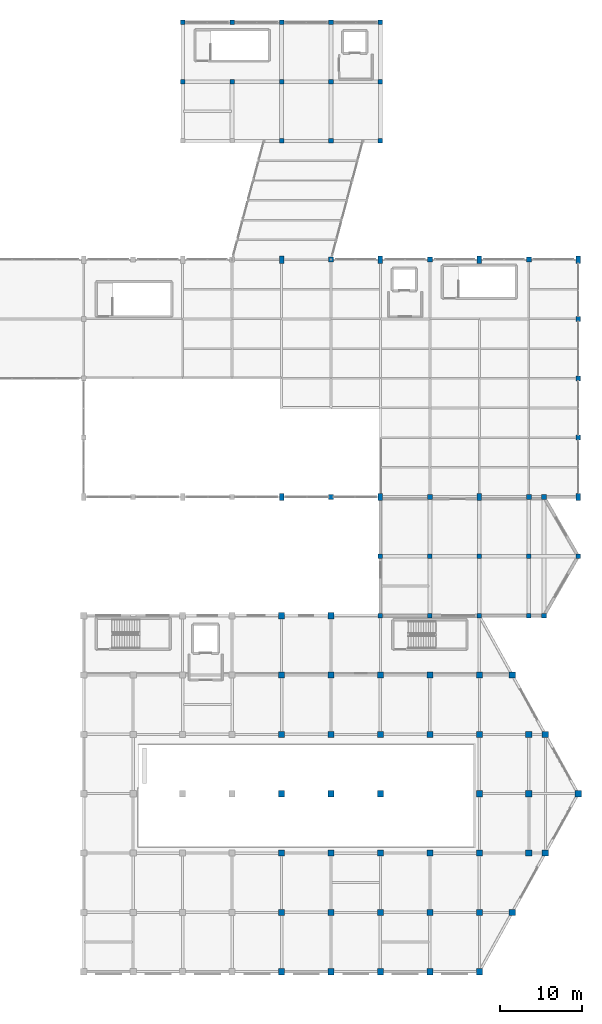
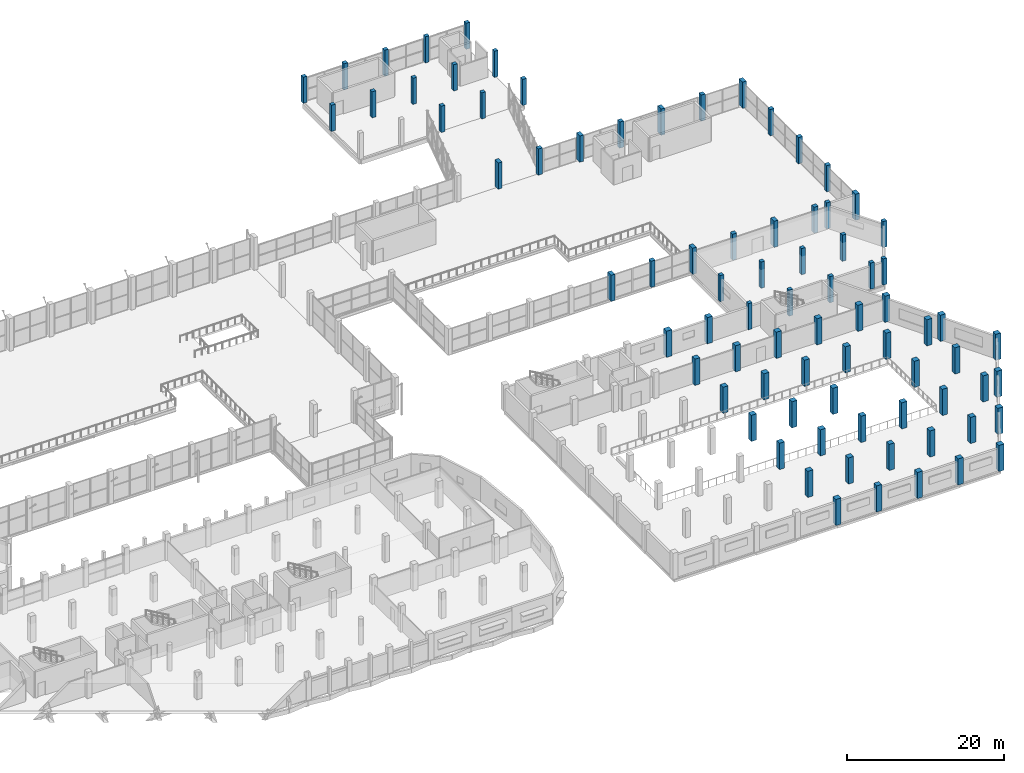
# One storey, part 11 of 127: 80 columns.
"""IFC4 building model written with IfcOpenShell, lengths in metres."""

import ifcopenshell
import ifcopenshell.guid

model = None  # the IFC model being written
_history = None  # IfcOwnerHistory: only IFC2X3 demands one
_inside = {}  # id of a spatial element -> (the spatial element, [elements in it])
_under = {}  # id of a project, library or spatial element -> (it, [spatial elements below it])
_declared = {}  # id of a project -> (the project, [libraries it declares])
_typed = {}  # id of a type object -> (the type object, [elements of that type])
_made_of = {}  # id of a material, layer set ... -> (it, [elements and type objects made of it])


def new_model(schema):
    """Start an empty IFC model of exactly this schema.

    Asked for "IFC4X3", IfcOpenShell would pick the latest addendum, in which some entities
    have other attributes; the version numbers below select the first issue.
    IFC2X3 requires an IfcOwnerHistory on every rooted entity: one is made here for all.
    """
    global model, _history
    if schema == "IFC4X3":
        model = ifcopenshell.file(schema_version=(4, 3, 0, 0))
    else:
        model = ifcopenshell.file(schema=schema)
    _inside.clear()
    _under.clear()
    _declared.clear()
    _typed.clear()
    _made_of.clear()
    _history = None
    if model.schema == "IFC2X3":
        org = make("IfcOrganization", Name="unknown")
        user = make(
            "IfcPersonAndOrganization",
            ThePerson=make("IfcPerson", FamilyName="unknown"),
            TheOrganization=org,
        )
        app = make(
            "IfcApplication",
            ApplicationDeveloper=org,
            Version="unknown",
            ApplicationFullName="unknown",
            ApplicationIdentifier="unknown",
        )
        _history = make(
            "IfcOwnerHistory",
            OwningUser=user,
            OwningApplication=app,
            ChangeAction="ADDED",
            CreationDate=0,
        )
    return model


def make(cls, **values):
    """One entity of the class cls with the attributes given. An attribute that is None is left unset."""
    return model.create_entity(
        cls, **{name: value for name, value in values.items() if value is not None}
    )


def rooted(cls, **values):
    """An entity with a GlobalId (a new one), such as an element, a storey or a relation."""
    return make(cls, GlobalId=ifcopenshell.guid.new(), OwnerHistory=_history, **values)


def si_unit(unit_type, name, prefix=None):
    """IfcSIUnit, for example si_unit("LENGTHUNIT", "METRE", prefix="MILLI")."""
    return make("IfcSIUnit", UnitType=unit_type, Prefix=prefix, Name=name)


def assignment(units):
    """IfcUnitAssignment: the units of a project."""
    return None if units is None else make("IfcUnitAssignment", Units=units)


def point(xyz):
    """IfcCartesianPoint."""
    return None if xyz is None else make("IfcCartesianPoint", Coordinates=xyz)


def direction(xyz):
    """IfcDirection."""
    return None if xyz is None else make("IfcDirection", DirectionRatios=xyz)


def frame(location, z_axis=None, x_axis=None):
    """IfcAxis2Placement3D, a coordinate frame: its origin and axes. An axis left out is left unset."""
    return make(
        "IfcAxis2Placement3D",
        Location=point(location),
        Axis=direction(z_axis),
        RefDirection=direction(x_axis),
    )


def frame_2d(location, x_axis=None):
    """IfcAxis2Placement2D, a coordinate frame in the plane: its origin and x axis."""
    return make(
        "IfcAxis2Placement2D", Location=point(location), RefDirection=direction(x_axis)
    )


def origin():
    """The frame at (0, 0, 0) with its axes left unset."""
    return frame((0.0, 0.0, 0.0))


def origin_2d():
    """The frame at (0, 0) in the plane with its x axis left unset."""
    return frame_2d((0.0, 0.0))


def place(relative_to, where):
    """IfcLocalPlacement: puts the frame where relative to a parent placement (None: the world)."""
    return make(
        "IfcLocalPlacement", PlacementRelTo=relative_to, RelativePlacement=where
    )


def context(
    kind, dimensions, precision=None, world=None, true_north=None, identifier=None
):
    """IfcGeometricRepresentationContext, for example the 3D "Model" context."""
    return make(
        "IfcGeometricRepresentationContext",
        ContextIdentifier=identifier,
        ContextType=kind,
        CoordinateSpaceDimension=dimensions,
        Precision=precision,
        WorldCoordinateSystem=world,
        TrueNorth=true_north,
    )


def subcontext(parent, identifier, kind, view, scale=None):
    """IfcGeometricRepresentationSubContext, for example "Body" below "Model"."""
    return make(
        "IfcGeometricRepresentationSubContext",
        ContextIdentifier=identifier,
        ContextType=kind,
        ParentContext=parent,
        TargetScale=scale,
        TargetView=view,
    )


def project(units=None, contexts=None):
    """IfcProject with its units and contexts."""
    return rooted(
        "IfcProject",
        Name="project",
        RepresentationContexts=contexts,
        UnitsInContext=assignment(units),
    )


def spatial(cls, under=None, at=None, **own):
    """A site, building, storey or space (cls), placed at a placement, below another one or the project."""
    s = rooted(cls, ObjectPlacement=at, **own)
    if under is not None:
        _under.setdefault(under.id(), (under, []))[1].append(s)
    return s


def profile(cls, at=None, kind="AREA", **sizes):
    """A parametric profile (cls). Its sizes go by their IFC names, for example OverallWidth=200.0."""
    return make(cls, ProfileType=kind, Position=at, **sizes)


def rectangle(**sizes):
    """IfcRectangleProfileDef."""
    return profile("IfcRectangleProfileDef", **sizes)


def extrude(swept, where, along, depth):
    """IfcExtrudedAreaSolid: the profile swept, set in the frame where, extruded along a direction by depth."""
    return make(
        "IfcExtrudedAreaSolid",
        SweptArea=swept,
        Position=where,
        ExtrudedDirection=direction(along),
        Depth=depth,
    )


def shape(context_of_items, identifier, shape_type, items):
    """IfcShapeRepresentation: the items that make up one representation, for example the "Body"."""
    return make(
        "IfcShapeRepresentation",
        ContextOfItems=context_of_items,
        RepresentationIdentifier=identifier,
        RepresentationType=shape_type,
        Items=items,
    )


def material(Name=None, Category=None):
    """IfcMaterial."""
    return make("IfcMaterial", Name=Name, Category=Category)


def material_profile(
    of_material, cross_section, Name=None, Category=None, Priority=None
):
    """IfcMaterialProfile: a cross section and its material."""
    return make(
        "IfcMaterialProfile",
        Name=Name,
        Material=of_material,
        Profile=cross_section,
        Priority=Priority,
        Category=Category,
    )


def profile_set(profiles, Name=None, composite=None):
    """IfcMaterialProfileSet."""
    return make(
        "IfcMaterialProfileSet",
        Name=Name,
        MaterialProfiles=profiles,
        CompositeProfile=composite,
    )


def made_of(thing, what):
    """Note that an element or type object is made of a material, layer set ...; save() writes the relation."""
    if what is not None:
        _made_of.setdefault(what.id(), (what, []))[1].append(thing)
    return thing


def type_object(cls, material=None, **own):
    """A type object (cls), such as IfcWallType, which elements share."""
    return made_of(rooted(cls, **own), material)


def element(
    cls,
    number,
    at=None,
    inside=None,
    cuts=None,
    type_object=None,
    material=None,
    context=None,
    identifier="Body",
    shape_type=None,
    held_by="IfcProductDefinitionShape",
    body=None,
    shapes=None,
    **own,
):
    """One element of the class cls, such as IfcWall. Its Tag is "e" and its number.

    at: its placement. inside: the storey or other place that contains it. cuts: it is an
    opening in that element (IfcRelVoidsElement). A single representation is given by context,
    identifier, shape_type and body (its items); several are given by shapes. held_by: the class
    of the entity that holds the representations. save() writes the other relations.
    """
    e = rooted(cls, Tag="e%d" % number, ObjectPlacement=at, **own)
    if body is not None:
        shapes = [shape(context, identifier, shape_type, body)]
    if shapes is not None:
        e.Representation = make(held_by, Representations=shapes)
    if inside is not None:
        _inside.setdefault(inside.id(), (inside, []))[1].append(e)
    if cuts is not None:
        rooted(
            "IfcRelVoidsElement", RelatingBuildingElement=cuts, RelatedOpeningElement=e
        )
    if type_object is not None:
        _typed.setdefault(type_object.id(), (type_object, []))[1].append(e)
    return made_of(e, material)


def aggregate(whole, parts):
    """IfcRelAggregates: a whole, such as a stair, and the parts it consists of."""
    return rooted("IfcRelAggregates", RelatingObject=whole, RelatedObjects=parts)


def save(model, path):
    """Write the relations noted so far, then the file.

    IfcRelAggregates (storeys below a building ...), IfcRelContainedInSpatialStructure (elements
    in a storey), IfcRelDefinesByType, IfcRelAssociatesMaterial and IfcRelDeclares: one each for
    every whole, place, type object, material and project.
    """
    for whole, parts in _under.values():
        aggregate(whole, parts)
    for where, things in _inside.values():
        rooted(
            "IfcRelContainedInSpatialStructure",
            RelatedElements=things,
            RelatingStructure=where,
        )
    for kind, things in _typed.values():
        rooted("IfcRelDefinesByType", RelatedObjects=things, RelatingType=kind)
    for what, things in _made_of.values():
        rooted("IfcRelAssociatesMaterial", RelatedObjects=things, RelatingMaterial=what)
    for by, libraries in _declared.values():
        rooted("IfcRelDeclares", RelatingContext=by, RelatedDefinitions=libraries)
    model.write(path)


model = new_model("IFC4")

# Units and contexts
model_context = context("Model", 3, precision=1e-05, world=origin(), true_north=direction((0.0, 1.0)))
body_context = subcontext(model_context, "Body", "Model", "MODEL_VIEW")
ifc_project = project(units=[si_unit("LENGTHUNIT", "METRE"), si_unit("AREAUNIT", "SQUARE_METRE"), si_unit("VOLUMEUNIT", "CUBIC_METRE"), si_unit("PLANEANGLEUNIT", "RADIAN"), si_unit("MASSUNIT", "GRAM", prefix="KILO")], contexts=[model_context])

# Site, building, storey
site_placement = place(None, origin())
site = spatial("IfcSite", under=ifc_project, at=site_placement, CompositionType="ELEMENT")
building_placement = place(site_placement, origin())
building = spatial("IfcBuilding", under=site, at=building_placement, Name="Dunvalen Ferry Terminal", CompositionType="ELEMENT")
storey_placement = place(building_placement, frame((0.0, 0.0, 5.760009765625)))
storey = spatial("IfcBuildingStorey", under=building, at=storey_placement, Name="L01", CompositionType="ELEMENT", Elevation=5.760009765625)

# Columns
ifc_material_1 = material(Name="Concrete C40/50", Category="concrete")
ifc_material_profile_1 = material_profile(ifc_material_1, rectangle(XDim=0.550048828125, YDim=0.89990234375, at=origin_2d()), Name="Concrete C40/50")
ifc_profile_set_1 = profile_set([ifc_material_profile_1], Name="Concrete C40/50")
column_type_1 = type_object("IfcColumnType", Name="STR-COL-PIER900", PredefinedType="COLUMN", material=ifc_profile_set_1)
for number, where, z_axis, x_axis, name in (
    (1, (132.0, 57.60009765625, 0.0), (0.0, 0.0, 1.0), (1.0, 0.0, 0.0), "L01 Arrivals Hall Upper Pier 05"),
    (2, (144.0, 57.60009765625, 0.0), (0.0, 0.0, 1.0), (1.0, 0.0, 0.0), "L01 Arrivals Hall Upper Pier 07"),
    (3, (156.0, 57.60009765625, 0.0), (0.0, 0.0, 1.0), (1.0, 0.0, 0.0), "L01 Arrivals Hall Upper Pier 09"),
    (4, (168.0, 57.60009765625, 0.0), (0.0, 0.0, 1.0), (1.0, 0.0, 0.0), "L01 Arrivals Hall Upper Pier 11"),
    (5, (132.0, 86.39990234375, 0.0), (0.0, 0.0, 1.0), (1.0, 0.0, 0.0), "L01 Arrivals Hall Upper Pier 16"),
    (6, (144.0, 86.39990234375, 0.0), (0.0, 0.0, 1.0), (1.0, 0.0, 0.0), "L01 Arrivals Hall Upper Pier 18"),
    (7, (156.0, 86.39990234375, 0.0), (0.0, 0.0, 1.0), (1.0, 0.0, 0.0), "L01 Arrivals Hall Upper Pier 20"),
    (8, (168.0, 86.39990234375, 0.0), (0.0, 0.0, 1.0), (1.0, 0.0, 0.0), "L01 Arrivals Hall Upper Pier 22"),
):
    element("IfcColumn", number, at=place(storey_placement, frame(where, z_axis=z_axis, x_axis=x_axis)), inside=storey, type_object=column_type_1, Name=name, PredefinedType="COLUMN", context=body_context, shape_type="SweptSolid", body=[
        extrude(rectangle(XDim=0.550048828125, YDim=0.89990234375, at=origin_2d()), origin(), (0.0, 0.0, 1.0), 4.080078125),
    ])
ifc_material_2 = material(Name="Concrete C35/45", Category="concrete")
ifc_material_profile_2 = material_profile(ifc_material_2, rectangle(XDim=0.550048828125, YDim=0.550048828125, at=origin_2d()), Name="Concrete C35/45")
ifc_profile_set_2 = profile_set([ifc_material_profile_2], Name="Concrete C35/45")
column_type_2 = type_object("IfcColumnType", Name="STR-COL-RC550", PredefinedType="COLUMN", material=ifc_profile_set_2)
for number, where, z_axis, x_axis, name in (
    (9, (144.0, 43.199951171875, 0.0), (0.0, 0.0, 1.0), (1.0, 0.0, 0.0), "L01 Customs Annex Column 01"),
    (10, (144.0, 50.39990234375, 0.0), (0.0, 0.0, 1.0), (1.0, 0.0, 0.0), "L01 Customs Annex Column 02"),
    (11, (150.0, 43.199951171875, 0.0), (0.0, 0.0, 1.0), (1.0, 0.0, 0.0), "L01 Customs Annex Column 04"),
    (12, (150.0, 50.39990234375, 0.0), (0.0, 0.0, 1.0), (1.0, 0.0, 0.0), "L01 Customs Annex Column 05"),
    (13, (156.0, 43.199951171875, 0.0), (0.0, 0.0, 1.0), (1.0, 0.0, 0.0), "L01 Customs Annex Column 07"),
    (14, (156.0, 50.39990234375, 0.0), (0.0, 0.0, 1.0), (1.0, 0.0, 0.0), "L01 Customs Annex Column 08"),
    (15, (162.0, 43.199951171875, 0.0), (0.0, 0.0, 1.0), (1.0, 0.0, 0.0), "L01 Customs Annex Column 10"),
    (16, (162.0, 50.39990234375, 0.0), (0.0, 0.0, 1.0), (1.0, 0.0, 0.0), "L01 Customs Annex Column 11"),
    (17, (163.843017578125, 43.199951171875, 0.0), (0.0, 0.0, 1.0), (1.0, 0.0, 0.0), "L01 Customs Annex Column 13"),
    (18, (163.843017578125, 57.60009765625, 0.0), (0.0, 0.0, 1.0), (1.0, 0.0, 0.0), "L01 Customs Annex Column 14"),
    (19, (168.0, 50.39990234375, 0.0), (0.0, 0.0, 1.0), (1.0, 0.0, 0.0), "L01 Customs Annex Column 15"),
    (20, (120.0, 108.0, 0.0), (0.0, 0.0, 1.0), (1.0, 0.0, 0.0), "L01 Berth Pavilion 2 Column 02"),
    (21, (120.0, 115.199951171875, 0.0), (0.0, 0.0, 1.0), (1.0, 0.0, 0.0), "L01 Berth Pavilion 2 Column 03"),
    (22, (126.0, 108.0, 0.0), (0.0, 0.0, 1.0), (1.0, 0.0, 0.0), "L01 Berth Pavilion 2 Column 05"),
    (23, (126.0, 115.199951171875, 0.0), (0.0, 0.0, 1.0), (1.0, 0.0, 0.0), "L01 Berth Pavilion 2 Column 06"),
    (24, (132.0, 100.800048828125, 0.0), (0.0, 0.0, 1.0), (1.0, 0.0, 0.0), "L01 Berth Pavilion 2 Column 07"),
    (25, (132.0, 108.0, 0.0), (0.0, 0.0, 1.0), (1.0, 0.0, 0.0), "L01 Berth Pavilion 2 Column 08"),
    (26, (132.0, 115.199951171875, 0.0), (0.0, 0.0, 1.0), (1.0, 0.0, 0.0), "L01 Berth Pavilion 2 Column 09"),
    (27, (138.0, 100.800048828125, 0.0), (0.0, 0.0, 1.0), (1.0, 0.0, 0.0), "L01 Berth Pavilion 2 Column 10"),
    (28, (138.0, 108.0, 0.0), (0.0, 0.0, 1.0), (1.0, 0.0, 0.0), "L01 Berth Pavilion 2 Column 11"),
    (29, (138.0, 115.199951171875, 0.0), (0.0, 0.0, 1.0), (1.0, 0.0, 0.0), "L01 Berth Pavilion 2 Column 12"),
    (30, (144.0, 100.800048828125, 0.0), (0.0, 0.0, 1.0), (1.0, 0.0, 0.0), "L01 Berth Pavilion 2 Column 13"),
    (31, (144.0, 108.0, 0.0), (0.0, 0.0, 1.0), (1.0, 0.0, 0.0), "L01 Berth Pavilion 2 Column 14"),
    (32, (144.0, 115.199951171875, 0.0), (0.0, 0.0, 1.0), (1.0, 0.0, 0.0), "L01 Berth Pavilion 2 Column 15"),
):
    element("IfcColumn", number, at=place(storey_placement, frame(where, z_axis=z_axis, x_axis=x_axis)), inside=storey, type_object=column_type_2, Name=name, PredefinedType="COLUMN", context=body_context, shape_type="SweptSolid", body=[
        extrude(rectangle(XDim=0.550048828125, YDim=0.550048828125, at=origin_2d()), origin(), (0.0, 0.0, 1.0), 4.080078125),
    ])
ifc_material_profile_3 = material_profile(ifc_material_1, rectangle(XDim=0.60009765625, YDim=0.60009765625, at=origin_2d()), Name="Concrete C40/50")
ifc_profile_set_3 = profile_set([ifc_material_profile_3], Name="Concrete C40/50")
column_type_3 = type_object("IfcColumnType", Name="STR-COL-RC600", PredefinedType="COLUMN", material=ifc_profile_set_3)
for number, where, z_axis, x_axis, name in (
    (33, (138.0, 57.60009765625, 0.0), (0.0, 0.0, 1.0), (1.0, 0.0, 0.0), "L01 Arrivals Hall Upper Pier 06"),
    (34, (150.0, 57.60009765625, 0.0), (0.0, 0.0, 1.0), (1.0, 0.0, 0.0), "L01 Arrivals Hall Upper Pier 08"),
    (35, (162.0, 57.60009765625, 0.0), (0.0, 0.0, 1.0), (1.0, 0.0, 0.0), "L01 Arrivals Hall Upper Pier 10"),
    (36, (138.0, 86.39990234375, 0.0), (0.0, 0.0, 1.0), (1.0, 0.0, 0.0), "L01 Arrivals Hall Upper Pier 17"),
    (37, (150.0, 86.39990234375, 0.0), (0.0, 0.0, 1.0), (1.0, 0.0, 0.0), "L01 Arrivals Hall Upper Pier 19"),
    (38, (162.0, 86.39990234375, 0.0), (0.0, 0.0, 1.0), (1.0, 0.0, 0.0), "L01 Arrivals Hall Upper Pier 21"),
    (39, (168.0, 64.800048828125, 0.0), (0.0, 0.0, 1.0), (1.0, 0.0, 0.0), "L01 Arrivals Hall Upper Pier 26"),
    (40, (168.0, 72.0, 0.0), (0.0, 0.0, 1.0), (1.0, 0.0, 0.0), "L01 Arrivals Hall Upper Pier 27"),
    (41, (168.0, 79.199951171875, 0.0), (0.0, 0.0, 1.0), (1.0, 0.0, 0.0), "L01 Arrivals Hall Upper Pier 28"),
):
    element("IfcColumn", number, at=place(storey_placement, frame(where, z_axis=z_axis, x_axis=x_axis)), inside=storey, type_object=column_type_3, Name=name, PredefinedType="COLUMN", context=body_context, shape_type="SweptSolid", body=[
        extrude(rectangle(XDim=0.60009765625, YDim=0.60009765625, at=origin_2d()), origin(), (0.0, 0.0, 1.0), 4.080078125),
    ])
ifc_material_profile_4 = material_profile(ifc_material_1, rectangle(XDim=0.75, YDim=0.75, at=origin_2d()), Name="Concrete C40/50")
ifc_profile_set_4 = profile_set([ifc_material_profile_4], Name="Concrete C40/50")
column_type_4 = type_object("IfcColumnType", Name="STR-COL-RC750", PredefinedType="COLUMN", material=ifc_profile_set_4)
for number, where, z_axis, x_axis, name in (
    (42, (132.0, 0.0, 0.0), (0.0, 0.0, 1.0), (1.0, 0.0, 0.0), "L01 Vehicle Marshalling Column 28"),
    (43, (132.0, 7.199951171875, 0.0), (0.0, 0.0, 1.0), (1.0, 0.0, 0.0), "L01 Vehicle Marshalling Column 29"),
    (44, (132.0, 14.39990234375, 0.0), (0.0, 0.0, 1.0), (1.0, 0.0, 0.0), "L01 Vehicle Marshalling Column 30"),
    (45, (132.0, 21.60009765625, 0.0), (0.0, 0.0, 1.0), (1.0, 0.0, 0.0), "L01 Vehicle Marshalling Column 31"),
    (46, (132.0, 28.800048828125, 0.0), (0.0, 0.0, 1.0), (1.0, 0.0, 0.0), "L01 Vehicle Marshalling Column 32"),
    (47, (132.0, 36.0, 0.0), (0.0, 0.0, 1.0), (1.0, 0.0, 0.0), "L01 Vehicle Marshalling Column 33"),
    (48, (132.0, 43.199951171875, 0.0), (0.0, 0.0, 1.0), (1.0, 0.0, 0.0), "L01 Vehicle Marshalling Column 34"),
    (49, (138.0, 0.0, 0.0), (0.0, 0.0, 1.0), (1.0, 0.0, 0.0), "L01 Vehicle Marshalling Column 35"),
    (50, (138.0, 7.199951171875, 0.0), (0.0, 0.0, 1.0), (1.0, 0.0, 0.0), "L01 Vehicle Marshalling Column 36"),
    (51, (138.0, 14.39990234375, 0.0), (0.0, 0.0, 1.0), (1.0, 0.0, 0.0), "L01 Vehicle Marshalling Column 37"),
    (52, (138.0, 21.60009765625, 0.0), (0.0, 0.0, 1.0), (1.0, 0.0, 0.0), "L01 Vehicle Marshalling Column 38"),
    (53, (138.0, 28.800048828125, 0.0), (0.0, 0.0, 1.0), (1.0, 0.0, 0.0), "L01 Vehicle Marshalling Column 39"),
    (54, (138.0, 36.0, 0.0), (0.0, 0.0, 1.0), (1.0, 0.0, 0.0), "L01 Vehicle Marshalling Column 40"),
    (55, (138.0, 43.199951171875, 0.0), (0.0, 0.0, 1.0), (1.0, 0.0, 0.0), "L01 Vehicle Marshalling Column 41"),
    (56, (144.0, 0.0, 0.0), (0.0, 0.0, 1.0), (1.0, 0.0, 0.0), "L01 Vehicle Marshalling Column 42"),
    (57, (144.0, 7.199951171875, 0.0), (0.0, 0.0, 1.0), (1.0, 0.0, 0.0), "L01 Vehicle Marshalling Column 43"),
    (58, (144.0, 14.39990234375, 0.0), (0.0, 0.0, 1.0), (1.0, 0.0, 0.0), "L01 Vehicle Marshalling Column 44"),
    (59, (144.0, 21.60009765625, 0.0), (0.0, 0.0, 1.0), (1.0, 0.0, 0.0), "L01 Vehicle Marshalling Column 45"),
    (60, (144.0, 28.800048828125, 0.0), (0.0, 0.0, 1.0), (1.0, 0.0, 0.0), "L01 Vehicle Marshalling Column 46"),
    (61, (144.0, 36.0, 0.0), (0.0, 0.0, 1.0), (1.0, 0.0, 0.0), "L01 Vehicle Marshalling Column 47"),
    (62, (150.0, 0.0, 0.0), (0.0, 0.0, 1.0), (1.0, 0.0, 0.0), "L01 Vehicle Marshalling Column 49"),
    (63, (150.0, 7.199951171875, 0.0), (0.0, 0.0, 1.0), (1.0, 0.0, 0.0), "L01 Vehicle Marshalling Column 50"),
    (64, (150.0, 14.39990234375, 0.0), (0.0, 0.0, 1.0), (1.0, 0.0, 0.0), "L01 Vehicle Marshalling Column 51"),
    (65, (150.0, 28.800048828125, 0.0), (0.0, 0.0, 1.0), (1.0, 0.0, 0.0), "L01 Vehicle Marshalling Column 52"),
    (66, (150.0, 36.0, 0.0), (0.0, 0.0, 1.0), (1.0, 0.0, 0.0), "L01 Vehicle Marshalling Column 53"),
    (67, (156.0, 0.0, 0.0), (0.0, 0.0, 1.0), (1.0, 0.0, 0.0), "L01 Vehicle Marshalling Column 55"),
    (68, (156.0, 7.199951171875, 0.0), (0.0, 0.0, 1.0), (1.0, 0.0, 0.0), "L01 Vehicle Marshalling Column 56"),
    (69, (156.0, 14.39990234375, 0.0), (0.0, 0.0, 1.0), (1.0, 0.0, 0.0), "L01 Vehicle Marshalling Column 57"),
    (70, (156.0, 21.60009765625, 0.0), (0.0, 0.0, 1.0), (1.0, 0.0, 0.0), "L01 Vehicle Marshalling Column 58"),
    (71, (156.0, 28.800048828125, 0.0), (0.0, 0.0, 1.0), (1.0, 0.0, 0.0), "L01 Vehicle Marshalling Column 59"),
    (72, (156.0, 36.0, 0.0), (0.0, 0.0, 1.0), (1.0, 0.0, 0.0), "L01 Vehicle Marshalling Column 60"),
    (73, (160.0, 7.199951171875, 0.0), (0.0, 0.0, 1.0), (1.0, 0.0, 0.0), "L01 Vehicle Marshalling Column 62"),
    (74, (160.0, 36.0, 0.0), (0.0, 0.0, 1.0), (1.0, 0.0, 0.0), "L01 Vehicle Marshalling Column 63"),
    (75, (162.0, 14.39990234375, 0.0), (0.0, 0.0, 1.0), (1.0, 0.0, 0.0), "L01 Vehicle Marshalling Column 64"),
    (76, (162.0, 21.60009765625, 0.0), (0.0, 0.0, 1.0), (1.0, 0.0, 0.0), "L01 Vehicle Marshalling Column 65"),
    (77, (162.0, 28.800048828125, 0.0), (0.0, 0.0, 1.0), (1.0, 0.0, 0.0), "L01 Vehicle Marshalling Column 66"),
    (78, (164.0, 14.39990234375, 0.0), (0.0, 0.0, 1.0), (1.0, 0.0, 0.0), "L01 Vehicle Marshalling Column 67"),
    (79, (164.0, 28.800048828125, 0.0), (0.0, 0.0, 1.0), (1.0, 0.0, 0.0), "L01 Vehicle Marshalling Column 68"),
    (80, (168.0, 21.60009765625, 0.0), (0.0, 0.0, 1.0), (1.0, 0.0, 0.0), "L01 Vehicle Marshalling Column 69"),
):
    element("IfcColumn", number, at=place(storey_placement, frame(where, z_axis=z_axis, x_axis=x_axis)), inside=storey, type_object=column_type_4, Name=name, PredefinedType="COLUMN", context=body_context, shape_type="SweptSolid", body=[
        extrude(rectangle(XDim=0.75, YDim=0.75, at=origin_2d()), origin(), (0.0, 0.0, 1.0), 4.080078125),
    ])

save(model, "model.ifc")
